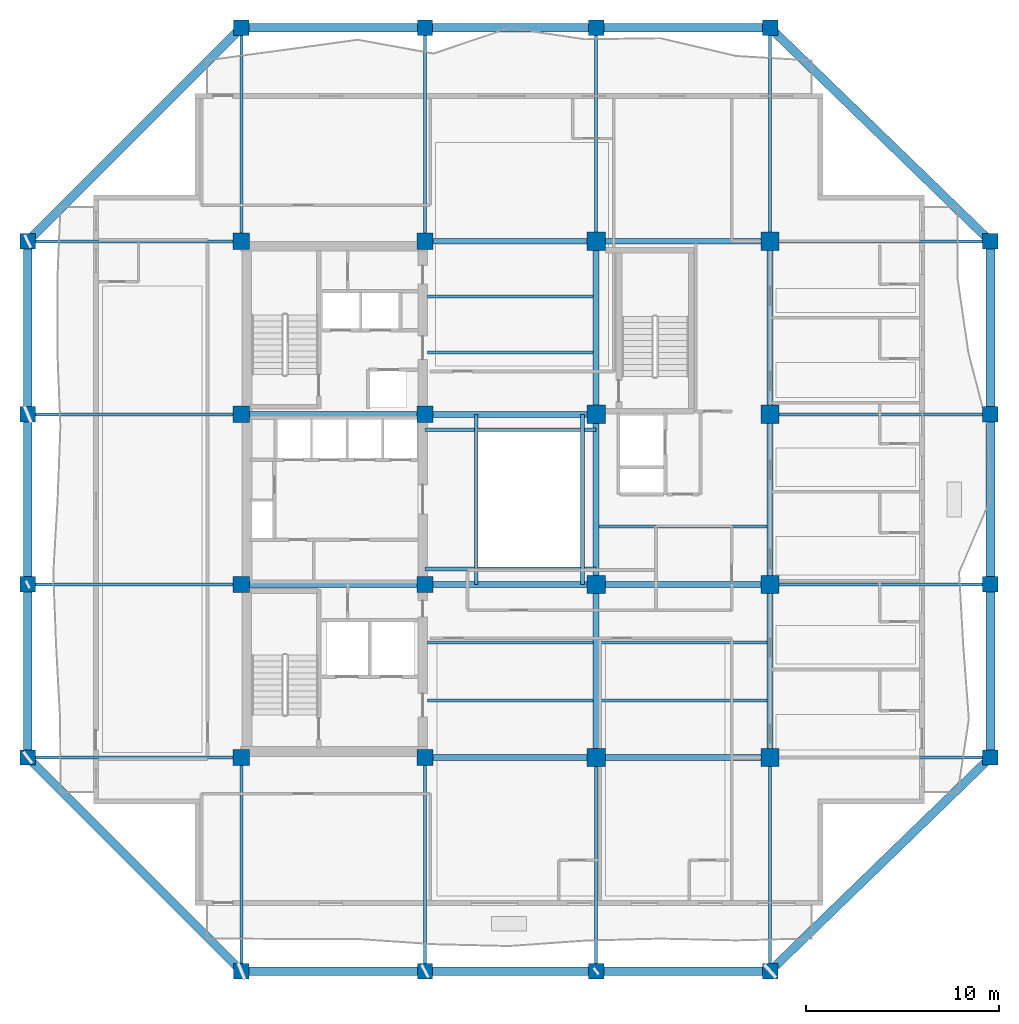
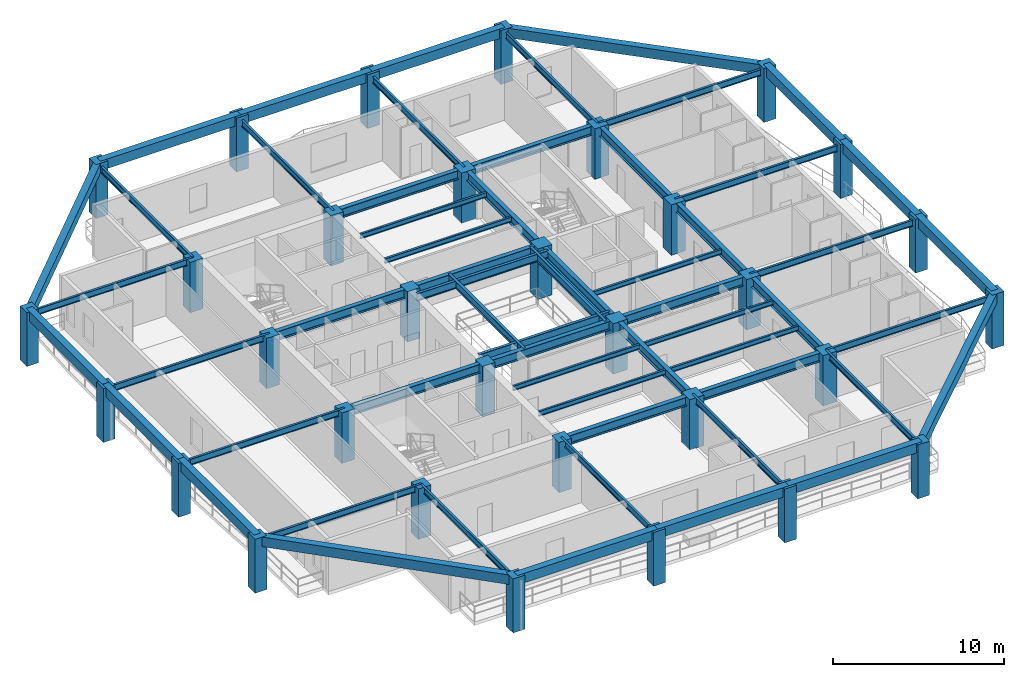
# One storey, part 1 of 13: 58 beams, 32 columns.
"""IFC4 building model written with IfcOpenShell, lengths in metres."""

from ifc_helpers import new_model, si_unit, direction, frame, origin, origin_2d, place, context, subcontext, project, spatial, rectangle, i_section, extrude, material, material_profile, profile_set, type_object, element, save


model = new_model("IFC4")

# Units and contexts
model_context = context("Model", 3, precision=1e-05, world=origin(), true_north=direction((0.0, 1.0)))
body_context = subcontext(model_context, "Body", "Model", "MODEL_VIEW")
ifc_project = project(units=[si_unit("LENGTHUNIT", "METRE"), si_unit("AREAUNIT", "SQUARE_METRE"), si_unit("VOLUMEUNIT", "CUBIC_METRE"), si_unit("PLANEANGLEUNIT", "RADIAN"), si_unit("MASSUNIT", "GRAM", prefix="KILO")], contexts=[model_context])

# Site, building, storey
site_placement = place(None, origin())
site = spatial("IfcSite", under=ifc_project, at=site_placement, CompositionType="ELEMENT")
building_placement = place(site_placement, origin())
building = spatial("IfcBuilding", under=site, at=building_placement, Name="Kundavana Baori Tower", CompositionType="ELEMENT")
storey_placement = place(building_placement, frame((0.0, 0.0, 192.550048828125)))
storey = spatial("IfcBuildingStorey", under=building, at=storey_placement, Name="L47", CompositionType="ELEMENT", Elevation=192.550048828125)

# Columns
ifc_material_1 = material(Name="Concrete C50/60", Category="concrete")
ifc_material_profile_1 = material_profile(ifc_material_1, rectangle(XDim=0.800048828125, YDim=0.800048828125, at=origin_2d()), Name="RC PF 800x800")
ifc_profile_set_1 = profile_set([ifc_material_profile_1], Name="Concrete C50/60")
column_type_1 = type_object("IfcColumnType", Name="COL-PF-800", PredefinedType="COLUMN", material=ifc_profile_set_1)
for number, where, z_axis, x_axis, name in (
    (1, (15.449951171875, 4.199951171875, 0.0), (0.0, 0.0, 1.0), (1.0, 0.0, 0.0), "L47 Stone-Clad Perimeter Frame Column PF-S1"),
    (2, (15.449951171875, 53.0, 0.0), (0.0, 0.0, 1.0), (1.0, 0.0, 0.0), "L47 Stone-Clad Perimeter Frame Column PF-N1"),
    (3, (24.949951171875, 4.199951171875, 0.0), (0.0, 0.0, 1.0), (1.0, 0.0, 0.0), "L47 Stone-Clad Perimeter Frame Column PF-S2"),
    (4, (24.949951171875, 53.0, 0.0), (0.0, 0.0, 1.0), (1.0, 0.0, 0.0), "L47 Stone-Clad Perimeter Frame Column PF-N2"),
    (5, (33.800048828125, 4.199951171875, 0.0), (0.0, 0.0, 1.0), (1.0, 0.0, 0.0), "L47 Stone-Clad Perimeter Frame Column PF-S3"),
    (6, (33.800048828125, 53.0, 0.0), (0.0, 0.0, 1.0), (1.0, 0.0, 0.0), "L47 Stone-Clad Perimeter Frame Column PF-N3"),
    (7, (42.800048828125, 4.199951171875, 0.0), (0.0, 0.0, 1.0), (1.0, 0.0, 0.0), "L47 Stone-Clad Perimeter Frame Column PF-S4"),
    (8, (42.800048828125, 53.0, 0.0), (0.0, 0.0, 1.0), (1.0, 0.0, 0.0), "L47 Stone-Clad Perimeter Frame Column PF-N4"),
    (9, (4.39990234375, 15.25, 0.0), (0.0, 0.0, 1.0), (1.0, 0.0, 0.0), "L47 Stone-Clad Perimeter Frame Column PF-W1"),
    (10, (54.199951171875, 15.25, 0.0), (0.0, 0.0, 1.0), (1.0, 0.0, 0.0), "L47 Stone-Clad Perimeter Frame Column PF-E1"),
    (11, (4.39990234375, 24.199951171875, 0.0), (0.0, 0.0, 1.0), (1.0, 0.0, 0.0), "L47 Stone-Clad Perimeter Frame Column PF-W2"),
    (12, (54.199951171875, 24.199951171875, 0.0), (0.0, 0.0, 1.0), (1.0, 0.0, 0.0), "L47 Stone-Clad Perimeter Frame Column PF-E2"),
    (13, (4.39990234375, 33.0, 0.0), (0.0, 0.0, 1.0), (1.0, 0.0, 0.0), "L47 Stone-Clad Perimeter Frame Column PF-W3"),
    (14, (54.199951171875, 33.0, 0.0), (0.0, 0.0, 1.0), (1.0, 0.0, 0.0), "L47 Stone-Clad Perimeter Frame Column PF-E3"),
    (15, (4.39990234375, 41.949951171875, 0.0), (0.0, 0.0, 1.0), (1.0, 0.0, 0.0), "L47 Stone-Clad Perimeter Frame Column PF-W4"),
    (16, (54.199951171875, 41.949951171875, 0.0), (0.0, 0.0, 1.0), (1.0, 0.0, 0.0), "L47 Stone-Clad Perimeter Frame Column PF-E4"),
):
    element("IfcColumn", number, at=place(storey_placement, frame(where, z_axis=z_axis, x_axis=x_axis)), inside=storey, type_object=column_type_1, Name=name, PredefinedType="COLUMN", context=body_context, shape_type="SweptSolid", body=[
        extrude(rectangle(XDim=0.800048828125, YDim=0.800048828125, at=origin_2d()), origin(), (0.0, 0.0, 1.0), 3.849853515625),
    ])
ifc_material_2 = material(Name="Concrete C50/60", Category="concrete")
ifc_material_profile_2 = material_profile(ifc_material_2, rectangle(XDim=0.85009765625, YDim=0.85009765625, at=origin_2d()), Name="RC 850x850")
ifc_profile_set_2 = profile_set([ifc_material_profile_2], Name="Concrete C50/60")
column_type_2 = type_object("IfcColumnType", Name="COL-RC-850", PredefinedType="COLUMN", material=ifc_profile_set_2)
for number, where, z_axis, x_axis, name in (
    (17, (15.449951171875, 15.25, 0.0), (0.0, 0.0, 1.0), (1.0, 0.0, 0.0), "L47 Interior Column IC-3C"),
    (18, (15.449951171875, 24.199951171875, 0.0), (0.0, 0.0, 1.0), (1.0, 0.0, 0.0), "L47 Interior Column IC-3D"),
    (19, (15.449951171875, 33.0, 0.0), (0.0, 0.0, 1.0), (1.0, 0.0, 0.0), "L47 Interior Column IC-3E"),
    (20, (15.449951171875, 41.949951171875, 0.0), (0.0, 0.0, 1.0), (1.0, 0.0, 0.0), "L47 Interior Column IC-3F"),
    (21, (24.949951171875, 15.25, 0.0), (0.0, 0.0, 1.0), (1.0, 0.0, 0.0), "L47 Interior Column IC-4C"),
    (22, (24.949951171875, 24.199951171875, 0.0), (0.0, 0.0, 1.0), (1.0, 0.0, 0.0), "L47 Interior Column IC-4D"),
    (23, (24.949951171875, 33.0, 0.0), (0.0, 0.0, 1.0), (1.0, 0.0, 0.0), "L47 Interior Column IC-4E"),
    (24, (24.949951171875, 41.949951171875, 0.0), (0.0, 0.0, 1.0), (1.0, 0.0, 0.0), "L47 Interior Column IC-4F"),
):
    element("IfcColumn", number, at=place(storey_placement, frame(where, z_axis=z_axis, x_axis=x_axis)), inside=storey, type_object=column_type_2, Name=name, PredefinedType="COLUMN", context=body_context, shape_type="SweptSolid", body=[
        extrude(rectangle(XDim=0.85009765625, YDim=0.85009765625, at=origin_2d()), origin(), (0.0, 0.0, 1.0), 3.599853515625),
    ])
ifc_material_3 = material(Name="Concrete C50/60", Category="concrete")
ifc_material_profile_3 = material_profile(ifc_material_3, rectangle(XDim=0.949951171875, YDim=0.949951171875, at=origin_2d()), Name="RC 950x950")
ifc_profile_set_3 = profile_set([ifc_material_profile_3], Name="Concrete C50/60")
column_type_3 = type_object("IfcColumnType", Name="COL-RC-950", PredefinedType="COLUMN", material=ifc_profile_set_3)
for number, where, z_axis, x_axis, name in (
    (25, (33.800048828125, 15.25, 0.0), (0.0, 0.0, 1.0), (1.0, 0.0, 0.0), "L47 Interior Column IC-5C"),
    (26, (33.800048828125, 24.199951171875, 0.0), (0.0, 0.0, 1.0), (1.0, 0.0, 0.0), "L47 Interior Column IC-5D"),
    (27, (33.800048828125, 33.0, 0.0), (0.0, 0.0, 1.0), (1.0, 0.0, 0.0), "L47 Interior Column IC-5E"),
    (28, (33.800048828125, 41.949951171875, 0.0), (0.0, 0.0, 1.0), (1.0, 0.0, 0.0), "L47 Interior Column IC-5F"),
    (29, (42.800048828125, 15.25, 0.0), (0.0, 0.0, 1.0), (1.0, 0.0, 0.0), "L47 Interior Column IC-6C"),
    (30, (42.800048828125, 24.199951171875, 0.0), (0.0, 0.0, 1.0), (1.0, 0.0, 0.0), "L47 Interior Column IC-6D"),
    (31, (42.800048828125, 33.0, 0.0), (0.0, 0.0, 1.0), (1.0, 0.0, 0.0), "L47 Interior Column IC-6E"),
    (32, (42.800048828125, 41.949951171875, 0.0), (0.0, 0.0, 1.0), (1.0, 0.0, 0.0), "L47 Interior Column IC-6F"),
):
    element("IfcColumn", number, at=place(storey_placement, frame(where, z_axis=z_axis, x_axis=x_axis)), inside=storey, type_object=column_type_3, Name=name, PredefinedType="COLUMN", context=body_context, shape_type="SweptSolid", body=[
        extrude(rectangle(XDim=0.949951171875, YDim=0.949951171875, at=origin_2d()), origin(), (0.0, 0.0, 1.0), 3.599853515625),
    ])

# Beams
ifc_material_4 = material(Name="Structural Steel S355JR", Category="steel")
ifc_material_profile_4 = material_profile(ifc_material_4, i_section(OverallWidth=0.139892578125, OverallDepth=0.35009765625, WebThickness=0.008056640625, FlangeThickness=0.01416015625, FilletRadius=0.013916015625, at=origin_2d()), Name="ISMB 350")
ifc_profile_set_4 = profile_set([ifc_material_profile_4], Name="Structural Steel S355JR")
beam_type_1 = type_object("IfcBeamType", Name="BM-JST-350", PredefinedType="JOIST", material=ifc_profile_set_4)
for number, where, z_axis, x_axis, name in (
    (33, (25.080078125, 18.199951171875, 3.425048828125), (1.0, 0.0, 0.0), (0.0, 1.0, 0.0), "L47 Central Bay Composite Floor Joist C1"),
    (34, (25.080078125, 21.199951171875, 3.425048828125), (1.0, 0.0, 0.0), (0.0, 1.0, 0.0), "L47 Central Bay Composite Floor Joist C2"),
    (35, (25.080078125, 36.199951171875, 3.425048828125), (1.0, 0.0, 0.0), (0.0, 1.0, 0.0), "L47 Central Bay Composite Floor Joist C3"),
    (36, (25.080078125, 39.10009765625, 3.425048828125), (1.0, 0.0, 0.0), (0.0, 1.0, 0.0), "L47 Central Bay Composite Floor Joist C4"),
):
    element("IfcBeam", number, at=place(storey_placement, frame(where, z_axis=z_axis, x_axis=x_axis)), inside=storey, type_object=beam_type_1, Name=name, PredefinedType="JOIST", context=body_context, shape_type="SweptSolid", body=[
        extrude(i_section(OverallWidth=0.139892578125, OverallDepth=0.35009765625, WebThickness=0.008056640625, FlangeThickness=0.01416015625, FilletRadius=0.013916015625, at=origin_2d()), origin(), (0.0, 0.0, 1.0), 8.56982421875),
    ])
for number, where, z_axis, x_axis, name in (
    (37, (33.949951171875, 18.199951171875, 3.425048828125), (1.0, 0.0, 0.0), (0.0, 1.0, 0.0), "L47 East Bay Composite Floor Joist E1"),
    (38, (33.949951171875, 21.199951171875, 3.425048828125), (1.0, 0.0, 0.0), (0.0, 1.0, 0.0), "L47 East Bay Composite Floor Joist E2"),
    (39, (33.949951171875, 27.199951171875, 3.425048828125), (1.0, 0.0, 0.0), (0.0, 1.0, 0.0), "L47 East Bay Composite Floor Joist E3"),
):
    element("IfcBeam", number, at=place(storey_placement, frame(where, z_axis=z_axis, x_axis=x_axis)), inside=storey, type_object=beam_type_1, Name=name, PredefinedType="JOIST", context=body_context, shape_type="SweptSolid", body=[
        extrude(i_section(OverallWidth=0.139892578125, OverallDepth=0.35009765625, WebThickness=0.008056640625, FlangeThickness=0.01416015625, FilletRadius=0.013916015625, at=origin_2d()), origin(), (0.0, 0.0, 1.0), 8.699951171875),
    ])
ifc_material_5 = material(Name="Concrete C50/60", Category="concrete")
ifc_material_profile_5 = material_profile(ifc_material_5, rectangle(XDim=0.449951171875, YDim=0.679931640625, at=origin_2d()), Name="RC BM 450x680")
ifc_profile_set_5 = profile_set([ifc_material_profile_5], Name="Concrete C50/60")
beam_type_2 = type_object("IfcBeamType", Name="BM-PF-680", PredefinedType="SPANDREL", material=ifc_profile_set_5)
beam_1_placement = place(storey_placement, frame((15.449951171875, 4.199951171875, 3.510009765625), z_axis=(1.0, 0.0, 0.0), x_axis=(0.0, 1.0, 0.0)))
element("IfcBeam", 40, at=beam_1_placement, inside=storey, type_object=beam_type_2, Name="L47 Perimeter Frame Ring Beam S1", PredefinedType="SPANDREL", context=body_context, shape_type="SweptSolid", body=[
    extrude(rectangle(XDim=0.449951171875, YDim=0.679931640625, at=origin_2d()), origin(), (0.0, 0.0, 1.0), 9.5),
])
beam_2_placement = place(storey_placement, frame((24.949951171875, 4.199951171875, 3.510009765625), z_axis=(1.0, 0.0, 0.0), x_axis=(0.0, 1.0, 0.0)))
element("IfcBeam", 41, at=beam_2_placement, inside=storey, type_object=beam_type_2, Name="L47 Perimeter Frame Ring Beam S2", PredefinedType="SPANDREL", context=body_context, shape_type="SweptSolid", body=[
    extrude(rectangle(XDim=0.449951171875, YDim=0.679931640625, at=origin_2d()), origin(), (0.0, 0.0, 1.0), 8.85009765625),
])
beam_3_placement = place(storey_placement, frame((33.800048828125, 4.199951171875, 3.510009765625), z_axis=(1.0, 0.0, 0.0), x_axis=(0.0, 1.0, 0.0)))
element("IfcBeam", 42, at=beam_3_placement, inside=storey, type_object=beam_type_2, Name="L47 Perimeter Frame Ring Beam S3", PredefinedType="SPANDREL", context=body_context, shape_type="SweptSolid", body=[
    extrude(rectangle(XDim=0.449951171875, YDim=0.679931640625, at=origin_2d()), origin(), (0.0, 0.0, 1.0), 9.0),
])
beam_4_placement = place(storey_placement, frame((15.449951171875, 53.0, 3.510009765625), z_axis=(1.0, 0.0, 0.0), x_axis=(0.0, 1.0, 0.0)))
element("IfcBeam", 43, at=beam_4_placement, inside=storey, type_object=beam_type_2, Name="L47 Perimeter Frame Ring Beam N1", PredefinedType="SPANDREL", context=body_context, shape_type="SweptSolid", body=[
    extrude(rectangle(XDim=0.449951171875, YDim=0.679931640625, at=origin_2d()), origin(), (0.0, 0.0, 1.0), 9.5),
])
beam_5_placement = place(storey_placement, frame((24.949951171875, 53.0, 3.510009765625), z_axis=(1.0, 0.0, 0.0), x_axis=(0.0, 1.0, 0.0)))
element("IfcBeam", 44, at=beam_5_placement, inside=storey, type_object=beam_type_2, Name="L47 Perimeter Frame Ring Beam N2", PredefinedType="SPANDREL", context=body_context, shape_type="SweptSolid", body=[
    extrude(rectangle(XDim=0.449951171875, YDim=0.679931640625, at=origin_2d()), origin(), (0.0, 0.0, 1.0), 8.85009765625),
])
beam_6_placement = place(storey_placement, frame((33.800048828125, 53.0, 3.510009765625), z_axis=(1.0, 0.0, 0.0), x_axis=(0.0, 1.0, 0.0)))
element("IfcBeam", 45, at=beam_6_placement, inside=storey, type_object=beam_type_2, Name="L47 Perimeter Frame Ring Beam N3", PredefinedType="SPANDREL", context=body_context, shape_type="SweptSolid", body=[
    extrude(rectangle(XDim=0.449951171875, YDim=0.679931640625, at=origin_2d()), origin(), (0.0, 0.0, 1.0), 9.0),
])
beam_7_placement = place(storey_placement, frame((4.39990234375, 15.25, 3.510009765625), z_axis=(0.0, 1.0, 0.0), x_axis=(-1.0, 0.0, 0.0)))
element("IfcBeam", 46, at=beam_7_placement, inside=storey, type_object=beam_type_2, Name="L47 Perimeter Frame Ring Beam W1", PredefinedType="SPANDREL", context=body_context, shape_type="SweptSolid", body=[
    extrude(rectangle(XDim=0.449951171875, YDim=0.679931640625, at=origin_2d()), origin(), (0.0, 0.0, 1.0), 8.949951171875),
])
beam_8_placement = place(storey_placement, frame((4.39990234375, 24.199951171875, 3.510009765625), z_axis=(0.0, 1.0, 0.0), x_axis=(-1.0, 0.0, 0.0)))
element("IfcBeam", 47, at=beam_8_placement, inside=storey, type_object=beam_type_2, Name="L47 Perimeter Frame Ring Beam W2", PredefinedType="SPANDREL", context=body_context, shape_type="SweptSolid", body=[
    extrude(rectangle(XDim=0.449951171875, YDim=0.679931640625, at=origin_2d()), origin(), (0.0, 0.0, 1.0), 8.800048828125),
])
for number, where, z_axis, x_axis, name in (
    (48, (4.39990234375, 33.0, 3.510009765625), (0.0, 1.0, 0.0), (-1.0, 0.0, 0.0), "L47 Perimeter Frame Ring Beam W3"),
    (49, (54.199951171875, 15.25, 3.510009765625), (0.0, 1.0, 0.0), (-1.0, 0.0, 0.0), "L47 Perimeter Frame Ring Beam E1"),
):
    element("IfcBeam", number, at=place(storey_placement, frame(where, z_axis=z_axis, x_axis=x_axis)), inside=storey, type_object=beam_type_2, Name=name, PredefinedType="SPANDREL", context=body_context, shape_type="SweptSolid", body=[
        extrude(rectangle(XDim=0.449951171875, YDim=0.679931640625, at=origin_2d()), origin(), (0.0, 0.0, 1.0), 8.949951171875),
    ])
beam_9_placement = place(storey_placement, frame((54.199951171875, 24.199951171875, 3.510009765625), z_axis=(0.0, 1.0, 0.0), x_axis=(-1.0, 0.0, 0.0)))
element("IfcBeam", 50, at=beam_9_placement, inside=storey, type_object=beam_type_2, Name="L47 Perimeter Frame Ring Beam E2", PredefinedType="SPANDREL", context=body_context, shape_type="SweptSolid", body=[
    extrude(rectangle(XDim=0.449951171875, YDim=0.679931640625, at=origin_2d()), origin(), (0.0, 0.0, 1.0), 8.800048828125),
])
beam_10_placement = place(storey_placement, frame((54.199951171875, 33.0, 3.510009765625), z_axis=(0.0, 1.0, 0.0), x_axis=(-1.0, 0.0, 0.0)))
element("IfcBeam", 51, at=beam_10_placement, inside=storey, type_object=beam_type_2, Name="L47 Perimeter Frame Ring Beam E3", PredefinedType="SPANDREL", context=body_context, shape_type="SweptSolid", body=[
    extrude(rectangle(XDim=0.449951171875, YDim=0.679931640625, at=origin_2d()), origin(), (0.0, 0.0, 1.0), 8.949951171875),
])
beam_11_placement = place(storey_placement, frame((15.449951171875, 4.199951171875, 3.510009765625), z_axis=(-0.707106781187, 0.707106781187, 0.0), x_axis=(-0.707106781187, -0.707106781187, 0.0)))
element("IfcBeam", 52, at=beam_11_placement, inside=storey, type_object=beam_type_2, Name="L47 Notched Corner Perimeter Beam SW", PredefinedType="SPANDREL", context=body_context, shape_type="SweptSolid", body=[
    extrude(rectangle(XDim=0.449951171875, YDim=0.679931640625, at=origin_2d()), origin(), (0.0, 0.0, 1.0), 15.627197265625),
])
beam_12_placement = place(storey_placement, frame((42.800048828125, 4.199951171875, 3.510009765625), z_axis=(0.718038944492, 0.696002926857, 0.0), x_axis=(-0.696002926857, 0.718038944492, 0.0)))
element("IfcBeam", 53, at=beam_12_placement, inside=storey, type_object=beam_type_2, Name="L47 Notched Corner Perimeter Beam SE", PredefinedType="SPANDREL", context=body_context, shape_type="SweptSolid", body=[
    extrude(rectangle(XDim=0.449951171875, YDim=0.679931640625, at=origin_2d()), origin(), (0.0, 0.0, 1.0), 15.87646484375),
])
beam_13_placement = place(storey_placement, frame((15.449951171875, 53.0, 3.510009765625), z_axis=(-0.707106781187, -0.707106781187, 0.0), x_axis=(0.707106781187, -0.707106781187, 0.0)))
element("IfcBeam", 54, at=beam_13_placement, inside=storey, type_object=beam_type_2, Name="L47 Notched Corner Perimeter Beam NW", PredefinedType="SPANDREL", context=body_context, shape_type="SweptSolid", body=[
    extrude(rectangle(XDim=0.449951171875, YDim=0.679931640625, at=origin_2d()), origin(), (0.0, 0.0, 1.0), 15.627197265625),
])
beam_14_placement = place(storey_placement, frame((42.800048828125, 53.0, 3.510009765625), z_axis=(0.718038944492, -0.696002926857, 0.0), x_axis=(0.696002926857, 0.718038944492, 0.0)))
element("IfcBeam", 55, at=beam_14_placement, inside=storey, type_object=beam_type_2, Name="L47 Notched Corner Perimeter Beam NE", PredefinedType="SPANDREL", context=body_context, shape_type="SweptSolid", body=[
    extrude(rectangle(XDim=0.449951171875, YDim=0.679931640625, at=origin_2d()), origin(), (0.0, 0.0, 1.0), 15.87646484375),
])
ifc_material_6 = material(Name="Structural Steel S355JR", Category="steel")
ifc_material_profile_6 = material_profile(ifc_material_6, i_section(OverallWidth=0.18994140625, OverallDepth=0.550048828125, WebThickness=0.01123046875, FlangeThickness=0.019287109375, FilletRadius=0.01806640625, at=origin_2d()), Name="ISMB 550")
ifc_profile_set_6 = profile_set([ifc_material_profile_6], Name="Structural Steel S355JR")
beam_type_3 = type_object("IfcBeamType", Name="BM-ST-550", PredefinedType="BEAM", material=ifc_profile_set_6)
for number, where, z_axis, x_axis, name in (
    (56, (27.60009765625, 24.199951171875, 3.324951171875), (0.0, 1.0, 0.0), (-1.0, 0.0, 0.0), "L47 Atrium West Edge Beam"),
    (57, (33.10009765625, 24.199951171875, 3.324951171875), (0.0, 1.0, 0.0), (-1.0, 0.0, 0.0), "L47 Atrium East Edge Beam"),
):
    element("IfcBeam", number, at=place(storey_placement, frame(where, z_axis=z_axis, x_axis=x_axis)), inside=storey, type_object=beam_type_3, Name=name, PredefinedType="BEAM", context=body_context, shape_type="SweptSolid", body=[
        extrude(i_section(OverallWidth=0.18994140625, OverallDepth=0.550048828125, WebThickness=0.01123046875, FlangeThickness=0.019287109375, FilletRadius=0.01806640625, at=origin_2d()), origin(), (0.0, 0.0, 1.0), 8.800048828125),
    ])
for number, where, z_axis, x_axis, name in (
    (58, (24.949951171875, 25.0, 3.324951171875), (1.0, 0.0, 0.0), (0.0, 1.0, 0.0), "L47 Atrium South Edge Beam"),
    (59, (24.949951171875, 32.199951171875, 3.324951171875), (1.0, 0.0, 0.0), (0.0, 1.0, 0.0), "L47 Atrium North Edge Beam"),
):
    element("IfcBeam", number, at=place(storey_placement, frame(where, z_axis=z_axis, x_axis=x_axis)), inside=storey, type_object=beam_type_3, Name=name, PredefinedType="BEAM", context=body_context, shape_type="SweptSolid", body=[
        extrude(i_section(OverallWidth=0.18994140625, OverallDepth=0.550048828125, WebThickness=0.01123046875, FlangeThickness=0.019287109375, FilletRadius=0.01806640625, at=origin_2d()), origin(), (0.0, 0.0, 1.0), 8.85009765625),
    ])
ifc_material_7 = material(Name="Structural Steel S355JR", Category="steel")
ifc_material_profile_7 = material_profile(ifc_material_7, i_section(OverallWidth=0.300048828125, OverallDepth=0.64990234375, WebThickness=0.013427734375, FlangeThickness=0.02197265625, FilletRadius=0.02392578125, at=origin_2d()), Name="NPB 650x300x155")
ifc_profile_set_7 = profile_set([ifc_material_profile_7], Name="Structural Steel S355JR")
beam_type_4 = type_object("IfcBeamType", Name="BM-ST-650", PredefinedType="BEAM", material=ifc_profile_set_7)
beam_15_placement = place(storey_placement, frame((24.949951171875, 15.25, 3.27490234375), z_axis=(1.0, 0.0, 0.0), x_axis=(0.0, 1.0, 0.0)))
element("IfcBeam", 60, at=beam_15_placement, inside=storey, type_object=beam_type_4, Name="L47 Primary Grid Girder GX-1-2", PredefinedType="BEAM", context=body_context, shape_type="SweptSolid", body=[
    extrude(i_section(OverallWidth=0.300048828125, OverallDepth=0.64990234375, WebThickness=0.013427734375, FlangeThickness=0.02197265625, FilletRadius=0.02392578125, at=origin_2d()), origin(), (0.0, 0.0, 1.0), 8.85009765625),
])
beam_16_placement = place(storey_placement, frame((33.800048828125, 15.25, 3.27490234375), z_axis=(1.0, 0.0, 0.0), x_axis=(0.0, 1.0, 0.0)))
element("IfcBeam", 61, at=beam_16_placement, inside=storey, type_object=beam_type_4, Name="L47 Primary Grid Girder GX-1-3", PredefinedType="BEAM", context=body_context, shape_type="SweptSolid", body=[
    extrude(i_section(OverallWidth=0.300048828125, OverallDepth=0.64990234375, WebThickness=0.013427734375, FlangeThickness=0.02197265625, FilletRadius=0.02392578125, at=origin_2d()), origin(), (0.0, 0.0, 1.0), 9.0),
])
beam_17_placement = place(storey_placement, frame((15.449951171875, 24.199951171875, 3.27490234375), z_axis=(1.0, 0.0, 0.0), x_axis=(0.0, 1.0, 0.0)))
element("IfcBeam", 62, at=beam_17_placement, inside=storey, type_object=beam_type_4, Name="L47 Primary Grid Girder GX-2-1", PredefinedType="BEAM", context=body_context, shape_type="SweptSolid", body=[
    extrude(i_section(OverallWidth=0.300048828125, OverallDepth=0.64990234375, WebThickness=0.013427734375, FlangeThickness=0.02197265625, FilletRadius=0.02392578125, at=origin_2d()), origin(), (0.0, 0.0, 1.0), 9.5),
])
beam_18_placement = place(storey_placement, frame((24.949951171875, 24.199951171875, 3.27490234375), z_axis=(1.0, 0.0, 0.0), x_axis=(0.0, 1.0, 0.0)))
element("IfcBeam", 63, at=beam_18_placement, inside=storey, type_object=beam_type_4, Name="L47 Primary Grid Girder GX-2-2", PredefinedType="BEAM", context=body_context, shape_type="SweptSolid", body=[
    extrude(i_section(OverallWidth=0.300048828125, OverallDepth=0.64990234375, WebThickness=0.013427734375, FlangeThickness=0.02197265625, FilletRadius=0.02392578125, at=origin_2d()), origin(), (0.0, 0.0, 1.0), 8.85009765625),
])
beam_19_placement = place(storey_placement, frame((33.800048828125, 24.199951171875, 3.27490234375), z_axis=(1.0, 0.0, 0.0), x_axis=(0.0, 1.0, 0.0)))
element("IfcBeam", 64, at=beam_19_placement, inside=storey, type_object=beam_type_4, Name="L47 Primary Grid Girder GX-2-3", PredefinedType="BEAM", context=body_context, shape_type="SweptSolid", body=[
    extrude(i_section(OverallWidth=0.300048828125, OverallDepth=0.64990234375, WebThickness=0.013427734375, FlangeThickness=0.02197265625, FilletRadius=0.02392578125, at=origin_2d()), origin(), (0.0, 0.0, 1.0), 9.0),
])
beam_20_placement = place(storey_placement, frame((15.449951171875, 33.0, 3.27490234375), z_axis=(1.0, 0.0, 0.0), x_axis=(0.0, 1.0, 0.0)))
element("IfcBeam", 65, at=beam_20_placement, inside=storey, type_object=beam_type_4, Name="L47 Primary Grid Girder GX-3-1", PredefinedType="BEAM", context=body_context, shape_type="SweptSolid", body=[
    extrude(i_section(OverallWidth=0.300048828125, OverallDepth=0.64990234375, WebThickness=0.013427734375, FlangeThickness=0.02197265625, FilletRadius=0.02392578125, at=origin_2d()), origin(), (0.0, 0.0, 1.0), 9.5),
])
for number, where, z_axis, x_axis, name in (
    (66, (24.949951171875, 33.0, 3.27490234375), (1.0, 0.0, 0.0), (0.0, 1.0, 0.0), "L47 Primary Grid Girder GX-3-2"),
    (67, (24.949951171875, 41.949951171875, 3.27490234375), (1.0, 0.0, 0.0), (0.0, 1.0, 0.0), "L47 Primary Grid Girder GX-4-2"),
):
    element("IfcBeam", number, at=place(storey_placement, frame(where, z_axis=z_axis, x_axis=x_axis)), inside=storey, type_object=beam_type_4, Name=name, PredefinedType="BEAM", context=body_context, shape_type="SweptSolid", body=[
        extrude(i_section(OverallWidth=0.300048828125, OverallDepth=0.64990234375, WebThickness=0.013427734375, FlangeThickness=0.02197265625, FilletRadius=0.02392578125, at=origin_2d()), origin(), (0.0, 0.0, 1.0), 8.85009765625),
    ])
beam_21_placement = place(storey_placement, frame((33.800048828125, 41.949951171875, 3.27490234375), z_axis=(1.0, 0.0, 0.0), x_axis=(0.0, 1.0, 0.0)))
element("IfcBeam", 68, at=beam_21_placement, inside=storey, type_object=beam_type_4, Name="L47 Primary Grid Girder GX-4-3", PredefinedType="BEAM", context=body_context, shape_type="SweptSolid", body=[
    extrude(i_section(OverallWidth=0.300048828125, OverallDepth=0.64990234375, WebThickness=0.013427734375, FlangeThickness=0.02197265625, FilletRadius=0.02392578125, at=origin_2d()), origin(), (0.0, 0.0, 1.0), 9.0),
])
beam_22_placement = place(storey_placement, frame((33.800048828125, 15.25, 3.27490234375), z_axis=(0.0, 1.0, 0.0), x_axis=(-1.0, 0.0, 0.0)))
element("IfcBeam", 69, at=beam_22_placement, inside=storey, type_object=beam_type_4, Name="L47 Primary Grid Girder GY-3-1", PredefinedType="BEAM", context=body_context, shape_type="SweptSolid", body=[
    extrude(i_section(OverallWidth=0.300048828125, OverallDepth=0.64990234375, WebThickness=0.013427734375, FlangeThickness=0.02197265625, FilletRadius=0.02392578125, at=origin_2d()), origin(), (0.0, 0.0, 1.0), 8.949951171875),
])
beam_23_placement = place(storey_placement, frame((33.800048828125, 24.199951171875, 3.27490234375), z_axis=(0.0, 1.0, 0.0), x_axis=(-1.0, 0.0, 0.0)))
element("IfcBeam", 70, at=beam_23_placement, inside=storey, type_object=beam_type_4, Name="L47 Primary Grid Girder GY-3-2", PredefinedType="BEAM", context=body_context, shape_type="SweptSolid", body=[
    extrude(i_section(OverallWidth=0.300048828125, OverallDepth=0.64990234375, WebThickness=0.013427734375, FlangeThickness=0.02197265625, FilletRadius=0.02392578125, at=origin_2d()), origin(), (0.0, 0.0, 1.0), 8.800048828125),
])
for number, where, z_axis, x_axis, name in (
    (71, (33.800048828125, 33.0, 3.27490234375), (0.0, 1.0, 0.0), (-1.0, 0.0, 0.0), "L47 Primary Grid Girder GY-3-3"),
    (72, (42.800048828125, 15.25, 3.27490234375), (0.0, 1.0, 0.0), (-1.0, 0.0, 0.0), "L47 Primary Grid Girder GY-4-1"),
):
    element("IfcBeam", number, at=place(storey_placement, frame(where, z_axis=z_axis, x_axis=x_axis)), inside=storey, type_object=beam_type_4, Name=name, PredefinedType="BEAM", context=body_context, shape_type="SweptSolid", body=[
        extrude(i_section(OverallWidth=0.300048828125, OverallDepth=0.64990234375, WebThickness=0.013427734375, FlangeThickness=0.02197265625, FilletRadius=0.02392578125, at=origin_2d()), origin(), (0.0, 0.0, 1.0), 8.949951171875),
    ])
beam_24_placement = place(storey_placement, frame((42.800048828125, 24.199951171875, 3.27490234375), z_axis=(0.0, 1.0, 0.0), x_axis=(-1.0, 0.0, 0.0)))
element("IfcBeam", 73, at=beam_24_placement, inside=storey, type_object=beam_type_4, Name="L47 Primary Grid Girder GY-4-2", PredefinedType="BEAM", context=body_context, shape_type="SweptSolid", body=[
    extrude(i_section(OverallWidth=0.300048828125, OverallDepth=0.64990234375, WebThickness=0.013427734375, FlangeThickness=0.02197265625, FilletRadius=0.02392578125, at=origin_2d()), origin(), (0.0, 0.0, 1.0), 8.800048828125),
])
beam_25_placement = place(storey_placement, frame((42.800048828125, 33.0, 3.27490234375), z_axis=(0.0, 1.0, 0.0), x_axis=(-1.0, 0.0, 0.0)))
element("IfcBeam", 74, at=beam_25_placement, inside=storey, type_object=beam_type_4, Name="L47 Primary Grid Girder GY-4-3", PredefinedType="BEAM", context=body_context, shape_type="SweptSolid", body=[
    extrude(i_section(OverallWidth=0.300048828125, OverallDepth=0.64990234375, WebThickness=0.013427734375, FlangeThickness=0.02197265625, FilletRadius=0.02392578125, at=origin_2d()), origin(), (0.0, 0.0, 1.0), 8.949951171875),
])
ifc_material_8 = material(Name="Structural Steel S355JR", Category="steel")
ifc_material_profile_8 = material_profile(ifc_material_8, i_section(OverallWidth=0.14990234375, OverallDepth=0.449951171875, WebThickness=0.009521484375, FlangeThickness=0.017333984375, FilletRadius=0.014892578125, at=origin_2d()), Name="ISMB 450")
ifc_profile_set_8 = profile_set([ifc_material_profile_8], Name="Structural Steel S355JR")
beam_type_5 = type_object("IfcBeamType", Name="BM-TIE-450", PredefinedType="BEAM", material=ifc_profile_set_8)
for number, where, z_axis, x_axis, name in (
    (75, (15.449951171875, 15.25, 3.375), (0.0, -1.0, 0.0), (1.0, 0.0, 0.0), "L47 South Radial Loggia Tie Beam S1"),
    (76, (15.449951171875, 41.949951171875, 3.375), (0.0, 1.0, 0.0), (-1.0, 0.0, 0.0), "L47 North Radial Loggia Tie Beam N1"),
    (77, (24.949951171875, 15.25, 3.375), (0.0, -1.0, 0.0), (1.0, 0.0, 0.0), "L47 South Radial Loggia Tie Beam S2"),
    (78, (24.949951171875, 41.949951171875, 3.375), (0.0, 1.0, 0.0), (-1.0, 0.0, 0.0), "L47 North Radial Loggia Tie Beam N2"),
    (79, (33.800048828125, 15.25, 3.375), (0.0, -1.0, 0.0), (1.0, 0.0, 0.0), "L47 South Radial Loggia Tie Beam S3"),
    (80, (33.800048828125, 41.949951171875, 3.375), (0.0, 1.0, 0.0), (-1.0, 0.0, 0.0), "L47 North Radial Loggia Tie Beam N3"),
    (81, (42.800048828125, 15.25, 3.375), (0.0, -1.0, 0.0), (1.0, 0.0, 0.0), "L47 South Radial Loggia Tie Beam S4"),
    (82, (42.800048828125, 41.949951171875, 3.375), (0.0, 1.0, 0.0), (-1.0, 0.0, 0.0), "L47 North Radial Loggia Tie Beam N4"),
    (83, (15.449951171875, 15.25, 3.375), (-1.0, 0.0, 0.0), (0.0, -1.0, 0.0), "L47 West Radial Loggia Tie Beam W1"),
):
    element("IfcBeam", number, at=place(storey_placement, frame(where, z_axis=z_axis, x_axis=x_axis)), inside=storey, type_object=beam_type_5, Name=name, PredefinedType="BEAM", context=body_context, shape_type="SweptSolid", body=[
        extrude(i_section(OverallWidth=0.14990234375, OverallDepth=0.449951171875, WebThickness=0.009521484375, FlangeThickness=0.017333984375, FilletRadius=0.014892578125, at=origin_2d()), origin(), (0.0, 0.0, 1.0), 11.050048828125),
    ])
beam_26_placement = place(storey_placement, frame((42.800048828125, 15.25, 3.375), z_axis=(1.0, 0.0, 0.0), x_axis=(0.0, 1.0, 0.0)))
element("IfcBeam", 84, at=beam_26_placement, inside=storey, type_object=beam_type_5, Name="L47 East Radial Loggia Tie Beam E1", PredefinedType="BEAM", context=body_context, shape_type="SweptSolid", body=[
    extrude(i_section(OverallWidth=0.14990234375, OverallDepth=0.449951171875, WebThickness=0.009521484375, FlangeThickness=0.017333984375, FilletRadius=0.014892578125, at=origin_2d()), origin(), (0.0, 0.0, 1.0), 11.39990234375),
])
beam_27_placement = place(storey_placement, frame((15.449951171875, 24.199951171875, 3.375), z_axis=(-1.0, 0.0, 0.0), x_axis=(0.0, -1.0, 0.0)))
element("IfcBeam", 85, at=beam_27_placement, inside=storey, type_object=beam_type_5, Name="L47 West Radial Loggia Tie Beam W2", PredefinedType="BEAM", context=body_context, shape_type="SweptSolid", body=[
    extrude(i_section(OverallWidth=0.14990234375, OverallDepth=0.449951171875, WebThickness=0.009521484375, FlangeThickness=0.017333984375, FilletRadius=0.014892578125, at=origin_2d()), origin(), (0.0, 0.0, 1.0), 11.050048828125),
])
beam_28_placement = place(storey_placement, frame((42.800048828125, 24.199951171875, 3.375), z_axis=(1.0, 0.0, 0.0), x_axis=(0.0, 1.0, 0.0)))
element("IfcBeam", 86, at=beam_28_placement, inside=storey, type_object=beam_type_5, Name="L47 East Radial Loggia Tie Beam E2", PredefinedType="BEAM", context=body_context, shape_type="SweptSolid", body=[
    extrude(i_section(OverallWidth=0.14990234375, OverallDepth=0.449951171875, WebThickness=0.009521484375, FlangeThickness=0.017333984375, FilletRadius=0.014892578125, at=origin_2d()), origin(), (0.0, 0.0, 1.0), 11.39990234375),
])
beam_29_placement = place(storey_placement, frame((15.449951171875, 33.0, 3.375), z_axis=(-1.0, 0.0, 0.0), x_axis=(0.0, -1.0, 0.0)))
element("IfcBeam", 87, at=beam_29_placement, inside=storey, type_object=beam_type_5, Name="L47 West Radial Loggia Tie Beam W3", PredefinedType="BEAM", context=body_context, shape_type="SweptSolid", body=[
    extrude(i_section(OverallWidth=0.14990234375, OverallDepth=0.449951171875, WebThickness=0.009521484375, FlangeThickness=0.017333984375, FilletRadius=0.014892578125, at=origin_2d()), origin(), (0.0, 0.0, 1.0), 11.050048828125),
])
beam_30_placement = place(storey_placement, frame((42.800048828125, 33.0, 3.375), z_axis=(1.0, 0.0, 0.0), x_axis=(0.0, 1.0, 0.0)))
element("IfcBeam", 88, at=beam_30_placement, inside=storey, type_object=beam_type_5, Name="L47 East Radial Loggia Tie Beam E3", PredefinedType="BEAM", context=body_context, shape_type="SweptSolid", body=[
    extrude(i_section(OverallWidth=0.14990234375, OverallDepth=0.449951171875, WebThickness=0.009521484375, FlangeThickness=0.017333984375, FilletRadius=0.014892578125, at=origin_2d()), origin(), (0.0, 0.0, 1.0), 11.39990234375),
])
beam_31_placement = place(storey_placement, frame((15.449951171875, 41.949951171875, 3.375), z_axis=(-1.0, 0.0, 0.0), x_axis=(0.0, -1.0, 0.0)))
element("IfcBeam", 89, at=beam_31_placement, inside=storey, type_object=beam_type_5, Name="L47 West Radial Loggia Tie Beam W4", PredefinedType="BEAM", context=body_context, shape_type="SweptSolid", body=[
    extrude(i_section(OverallWidth=0.14990234375, OverallDepth=0.449951171875, WebThickness=0.009521484375, FlangeThickness=0.017333984375, FilletRadius=0.014892578125, at=origin_2d()), origin(), (0.0, 0.0, 1.0), 11.050048828125),
])
beam_32_placement = place(storey_placement, frame((42.800048828125, 41.949951171875, 3.375), z_axis=(1.0, 0.0, 0.0), x_axis=(0.0, 1.0, 0.0)))
element("IfcBeam", 90, at=beam_32_placement, inside=storey, type_object=beam_type_5, Name="L47 East Radial Loggia Tie Beam E4", PredefinedType="BEAM", context=body_context, shape_type="SweptSolid", body=[
    extrude(i_section(OverallWidth=0.14990234375, OverallDepth=0.449951171875, WebThickness=0.009521484375, FlangeThickness=0.017333984375, FilletRadius=0.014892578125, at=origin_2d()), origin(), (0.0, 0.0, 1.0), 11.39990234375),
])

save(model, "model.ifc")
